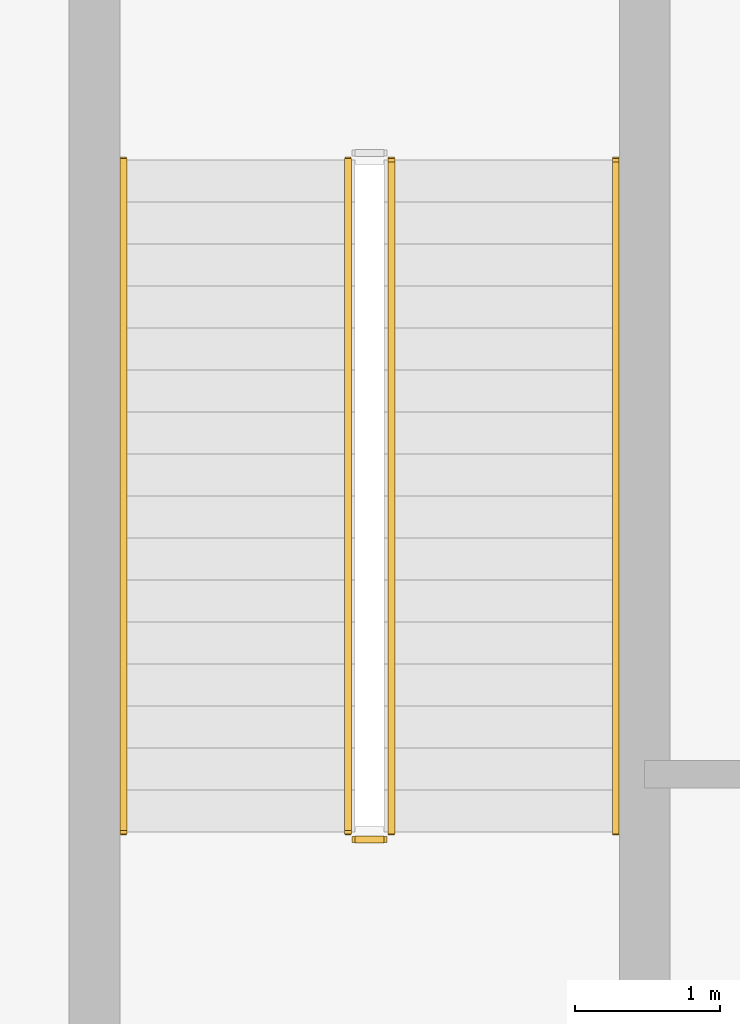
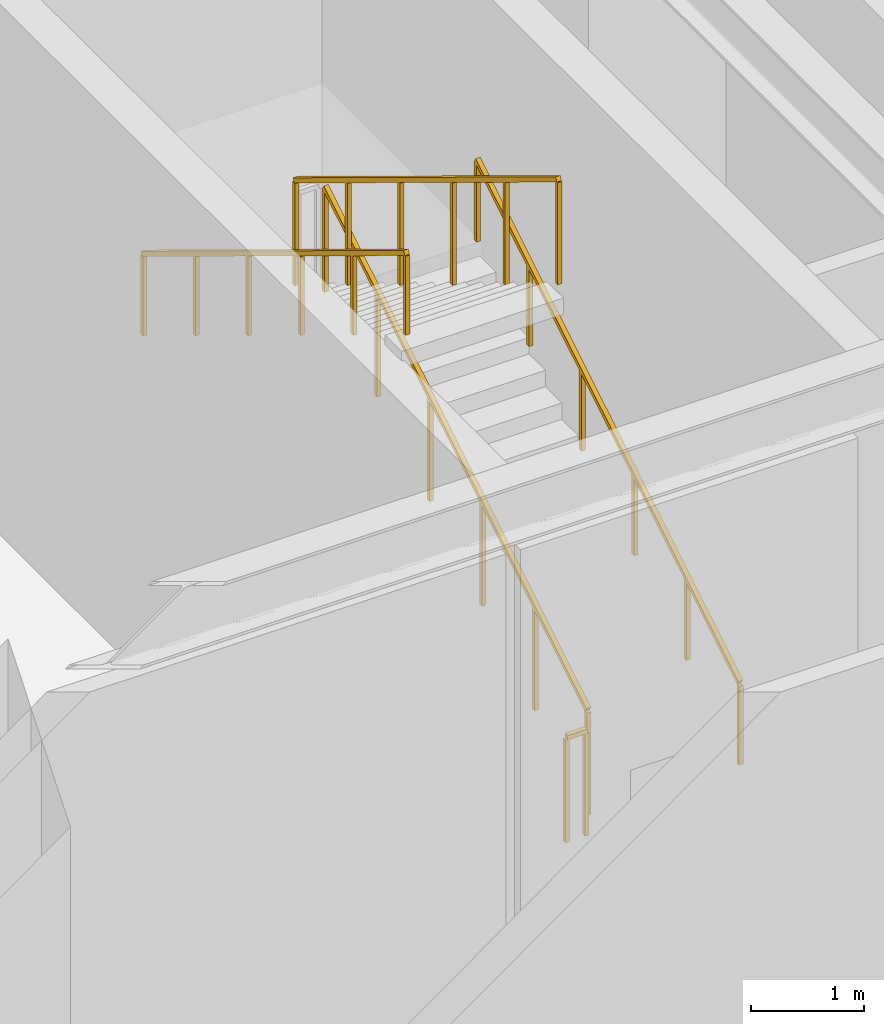
# One storey, part 46 of 49: 5 railings.
"""IFC4 building model written with IfcOpenShell, lengths in metres."""

from ifc_helpers import new_model, si_unit, direction, frame, origin, origin_2d, place, context, subcontext, project, spatial, rectangle, extrude, material, type_object, element, save


model = new_model("IFC4")

# Units and contexts
model_context = context("Model", 3, precision=1e-05, world=origin(), true_north=direction((0.0, 1.0)))
body_context = subcontext(model_context, "Body", "Model", "MODEL_VIEW")
ifc_project = project(units=[si_unit("LENGTHUNIT", "METRE"), si_unit("AREAUNIT", "SQUARE_METRE"), si_unit("VOLUMEUNIT", "CUBIC_METRE"), si_unit("PLANEANGLEUNIT", "RADIAN"), si_unit("MASSUNIT", "GRAM", prefix="KILO")], contexts=[model_context])

# Site, building, storey
site_placement = place(None, origin())
site = spatial("IfcSite", under=ifc_project, at=site_placement, CompositionType="ELEMENT")
building_placement = place(site_placement, origin())
building = spatial("IfcBuilding", under=site, at=building_placement, Name="Sarneth Arch Tower", CompositionType="ELEMENT")
storey_placement = place(building_placement, origin())
storey = spatial("IfcBuildingStorey", under=building, at=storey_placement, Name="L00", CompositionType="ELEMENT", Elevation=0.0)

# Railings
ifc_material_1 = material(Name="Brushed Stainless Steel 304 tubular handrail", Category="steel")
railing_type_1 = type_object("IfcRailingType", Name="RAIL-HANDRAIL-900", PredefinedType="HANDRAIL", material=ifc_material_1)
railing_1_placement = place(storey_placement, frame((84.85009765625, 65.800048828125, 0.176513671875)))
element("IfcRailing", 1, at=railing_1_placement, inside=storey, type_object=railing_type_1, Name="L00 ST-P2 stair handrail 1", PredefinedType="HANDRAIL", context=body_context, shape_type="SweptSolid", body=[
    extrude(rectangle(XDim=0.048095703125, YDim=0.048095703125, at=origin_2d()), frame((0.0, 0.0, 0.8759765625), z_axis=(0.0, 0.854263648073, 0.51983999421), x_axis=(-1.0, 0.0, 0.0)), (0.0, 0.0, 1.0), 5.431396484375),
    extrude(rectangle(XDim=0.0419921875, YDim=0.0419921875, at=origin_2d()), origin(), (0.0, 0.0, 1.0), 0.851806640625),
    extrude(rectangle(XDim=0.0419921875, YDim=0.0419921875, at=origin_2d()), frame((0.0, 0.927978515625, 0.564697265625)), (0.0, 0.0, 1.0), 0.851806640625),
    extrude(rectangle(XDim=0.0419921875, YDim=0.0419921875, at=origin_2d()), frame((0.0, 1.85595703125, 1.12939453125)), (0.0, 0.0, 1.0), 0.851806640625),
    extrude(rectangle(XDim=0.0419921875, YDim=0.0419921875, at=origin_2d()), frame((0.0, 2.783935546875, 1.694091796875)), (0.0, 0.0, 1.0), 0.851806640625),
    extrude(rectangle(XDim=0.0419921875, YDim=0.0419921875, at=origin_2d()), frame((0.0, 3.7119140625, 2.2587890625)), (0.0, 0.0, 1.0), 0.851806640625),
    extrude(rectangle(XDim=0.0419921875, YDim=0.0419921875, at=origin_2d()), frame((0.0, 4.639892578125, 2.823486328125)), (0.0, 0.0, 1.0), 0.851806640625),
])
railing_2_placement = place(storey_placement, frame((81.449951171875, 70.43994140625, 3.176513671875)))
element("IfcRailing", 2, at=railing_2_placement, inside=storey, type_object=railing_type_1, Name="L00 ST-P2 stair handrail 2", PredefinedType="HANDRAIL", context=body_context, shape_type="SweptSolid", body=[
    extrude(rectangle(XDim=0.048095703125, YDim=0.048095703125, at=origin_2d()), frame((0.0, 0.0, 0.8759765625), z_axis=(0.0, -0.854263648073, 0.51983999421), x_axis=(1.0, 0.0, 0.0)), (0.0, 0.0, 1.0), 5.431396484375),
    extrude(rectangle(XDim=0.0419921875, YDim=0.0419921875, at=origin_2d()), origin(), (0.0, 0.0, 1.0), 0.851806640625),
    extrude(rectangle(XDim=0.0419921875, YDim=0.0419921875, at=origin_2d()), frame((0.0, -0.927978515625, 0.564697265625)), (0.0, 0.0, 1.0), 0.851806640625),
    extrude(rectangle(XDim=0.0419921875, YDim=0.0419921875, at=origin_2d()), frame((0.0, -1.85595703125, 1.12939453125)), (0.0, 0.0, 1.0), 0.851806640625),
    extrude(rectangle(XDim=0.0419921875, YDim=0.0419921875, at=origin_2d()), frame((0.0, -2.783935546875, 1.694091796875)), (0.0, 0.0, 1.0), 0.851806640625),
    extrude(rectangle(XDim=0.0419921875, YDim=0.0419921875, at=origin_2d()), frame((0.0, -3.7119140625, 2.2587890625)), (0.0, 0.0, 1.0), 0.851806640625),
    extrude(rectangle(XDim=0.0419921875, YDim=0.0419921875, at=origin_2d()), frame((0.0, -4.639892578125, 2.823486328125)), (0.0, 0.0, 1.0), 0.851806640625),
])
ifc_material_2 = material(Name="Painted Steel S275 stair well guard", Category="steel")
railing_type_2 = type_object("IfcRailingType", Name="RAIL-STAIR-GUARD", PredefinedType="GUARDRAIL", material=ifc_material_2)
railing_3_placement = place(storey_placement, frame((83.300048828125, 65.800048828125, 0.176513671875)))
element("IfcRailing", 3, at=railing_3_placement, inside=storey, type_object=railing_type_2, Name="L00 ST-P2 stair guard 1", PredefinedType="GUARDRAIL", context=body_context, shape_type="SweptSolid", body=[
    extrude(rectangle(XDim=0.048095703125, YDim=0.048095703125, at=origin_2d()), frame((0.0, 0.0, 1.1259765625), z_axis=(0.0, 0.854263648073, 0.51983999421), x_axis=(-1.0, 0.0, 0.0)), (0.0, 0.0, 1.0), 5.431396484375),
    extrude(rectangle(XDim=0.0419921875, YDim=0.0419921875, at=origin_2d()), origin(), (0.0, 0.0, 1.0), 1.101806640625),
    extrude(rectangle(XDim=0.0419921875, YDim=0.0419921875, at=origin_2d()), frame((0.0, 0.927978515625, 0.564697265625)), (0.0, 0.0, 1.0), 1.101806640625),
    extrude(rectangle(XDim=0.0419921875, YDim=0.0419921875, at=origin_2d()), frame((0.0, 1.85595703125, 1.12939453125)), (0.0, 0.0, 1.0), 1.101806640625),
    extrude(rectangle(XDim=0.0419921875, YDim=0.0419921875, at=origin_2d()), frame((0.0, 2.783935546875, 1.694091796875)), (0.0, 0.0, 1.0), 1.101806640625),
    extrude(rectangle(XDim=0.0419921875, YDim=0.0419921875, at=origin_2d()), frame((0.0, 3.7119140625, 2.2587890625)), (0.0, 0.0, 1.0), 1.101806640625),
    extrude(rectangle(XDim=0.0419921875, YDim=0.0419921875, at=origin_2d()), frame((0.0, 4.639892578125, 2.823486328125)), (0.0, 0.0, 1.0), 1.101806640625),
])
railing_4_placement = place(storey_placement, frame((83.0, 70.43994140625, 3.176513671875)))
element("IfcRailing", 4, at=railing_4_placement, inside=storey, type_object=railing_type_2, Name="L00 ST-P2 stair guard 3", PredefinedType="GUARDRAIL", context=body_context, shape_type="SweptSolid", body=[
    extrude(rectangle(XDim=0.048095703125, YDim=0.048095703125, at=origin_2d()), frame((0.0, 0.0, 1.1259765625), z_axis=(0.0, -0.854263648073, 0.51983999421), x_axis=(1.0, 0.0, 0.0)), (0.0, 0.0, 1.0), 5.431396484375),
    extrude(rectangle(XDim=0.0419921875, YDim=0.0419921875, at=origin_2d()), origin(), (0.0, 0.0, 1.0), 1.101806640625),
    extrude(rectangle(XDim=0.0419921875, YDim=0.0419921875, at=origin_2d()), frame((0.0, -0.927978515625, 0.564697265625)), (0.0, 0.0, 1.0), 1.101806640625),
    extrude(rectangle(XDim=0.0419921875, YDim=0.0419921875, at=origin_2d()), frame((0.0, -1.85595703125, 1.12939453125)), (0.0, 0.0, 1.0), 1.101806640625),
    extrude(rectangle(XDim=0.0419921875, YDim=0.0419921875, at=origin_2d()), frame((0.0, -2.783935546875, 1.694091796875)), (0.0, 0.0, 1.0), 1.101806640625),
    extrude(rectangle(XDim=0.0419921875, YDim=0.0419921875, at=origin_2d()), frame((0.0, -3.7119140625, 2.2587890625)), (0.0, 0.0, 1.0), 1.101806640625),
    extrude(rectangle(XDim=0.0419921875, YDim=0.0419921875, at=origin_2d()), frame((0.0, -4.639892578125, 2.823486328125)), (0.0, 0.0, 1.0), 1.101806640625),
])
railing_5_placement = place(storey_placement, frame((83.25, 65.75, 0.0)))
element("IfcRailing", 5, at=railing_5_placement, inside=storey, type_object=railing_type_2, Name="L00 ST-P2 stair guard 4", PredefinedType="GUARDRAIL", context=body_context, shape_type="SweptSolid", body=[
    extrude(rectangle(XDim=0.048095703125, YDim=0.048095703125, at=origin_2d()), frame((0.0, 0.0, 1.1259765625), z_axis=(-1.0, 0.0, 0.0), x_axis=(0.0, -1.0, 0.0)), (0.0, 0.0, 1.0), 0.199951171875),
    extrude(rectangle(XDim=0.0419921875, YDim=0.0419921875, at=origin_2d()), origin(), (0.0, 0.0, 1.0), 1.101806640625),
    extrude(rectangle(XDim=0.0419921875, YDim=0.0419921875, at=origin_2d()), frame((-0.199951171875, 0.0, 0.0)), (0.0, 0.0, 1.0), 1.101806640625),
])

save(model, "model.ifc")
